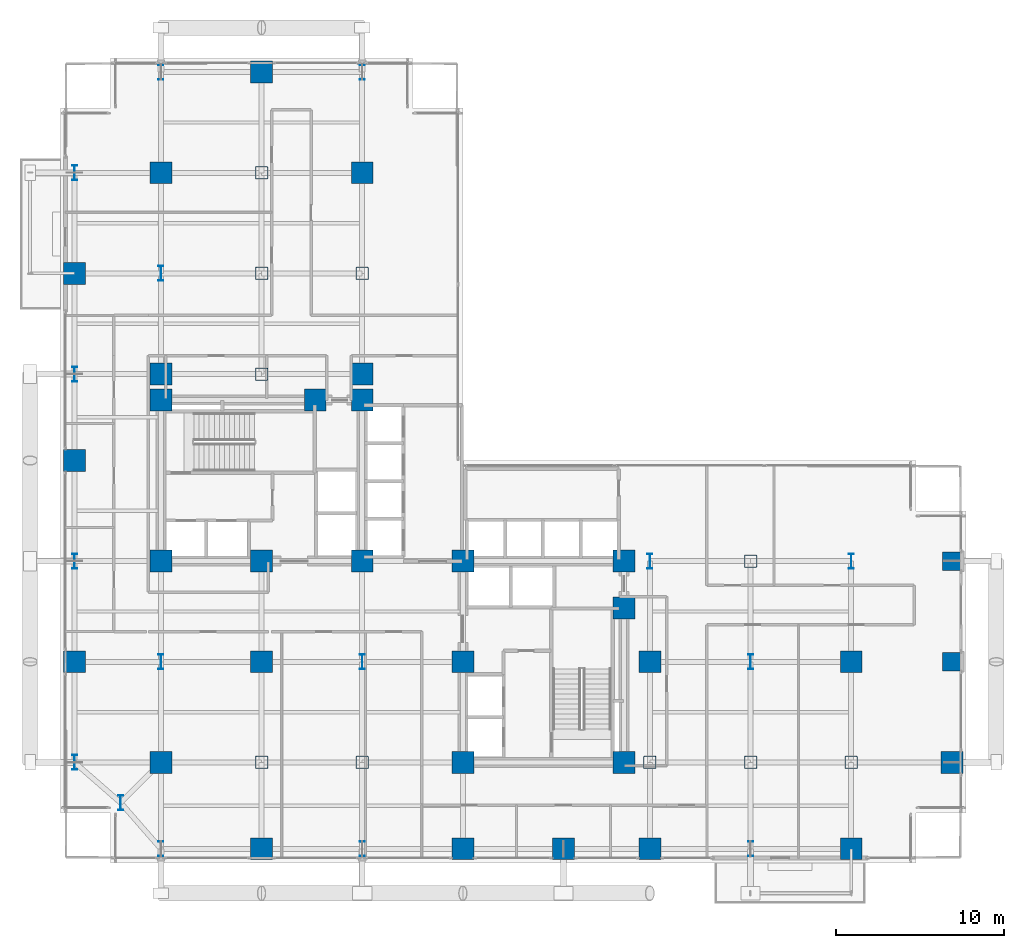
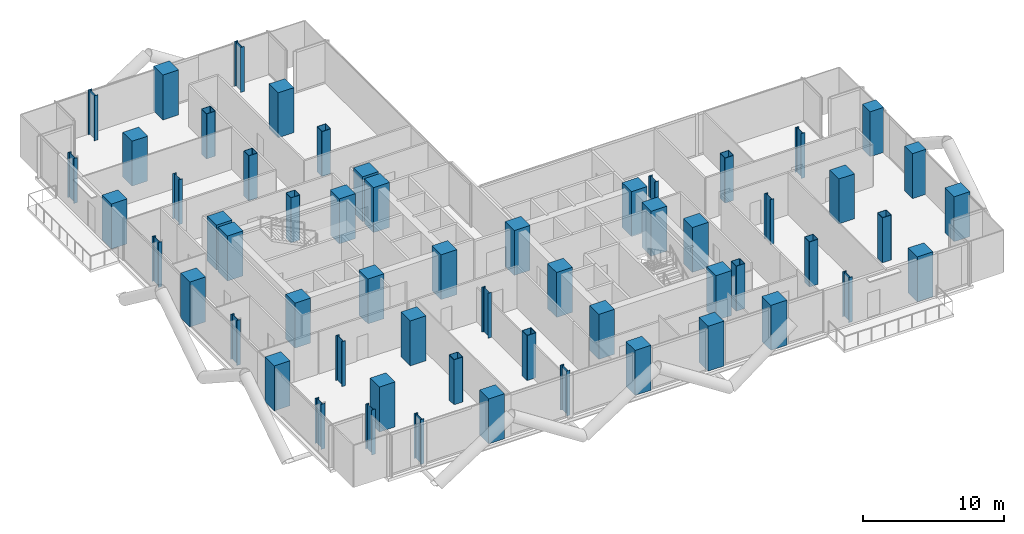
# One storey, part 1 of 27: 58 columns.
"""IFC4 building model written with IfcOpenShell, lengths in metres."""

from ifc_helpers import new_model, si_unit, direction, frame, origin, origin_2d, place, context, subcontext, project, spatial, rectangle, hollow_rectangle, i_section, extrude, material, material_profile, profile_set, type_object, element, save


model = new_model("IFC4")

# Units and contexts
model_context = context("Model", 3, precision=1e-05, world=origin(), true_north=direction((0.0, 1.0)))
body_context = subcontext(model_context, "Body", "Model", "MODEL_VIEW")
ifc_project = project(units=[si_unit("LENGTHUNIT", "METRE"), si_unit("AREAUNIT", "SQUARE_METRE"), si_unit("VOLUMEUNIT", "CUBIC_METRE"), si_unit("PLANEANGLEUNIT", "RADIAN"), si_unit("MASSUNIT", "GRAM", prefix="KILO"), si_unit("THERMODYNAMICTEMPERATUREUNIT", "KELVIN"), si_unit("POWERUNIT", "WATT")], contexts=[model_context])

# Site, building, storey
site_placement = place(None, origin())
site = spatial("IfcSite", under=ifc_project, at=site_placement, CompositionType="ELEMENT")
building_placement = place(site_placement, origin())
building = spatial("IfcBuilding", under=site, at=building_placement, Name="Svarakhadi Broadcast Tower", CompositionType="ELEMENT")
storey_placement = place(building_placement, frame((0.0, 0.0, 40.199951171875)))
storey = spatial("IfcBuildingStorey", under=building, at=storey_placement, Name="L08", CompositionType="ELEMENT", Elevation=40.199951171875)

# Columns
ifc_material_1 = material(Name="Steel S460ML (IS 2062 E450BR)", Category="steel")
ifc_material_profile_1 = material_profile(ifc_material_1, hollow_rectangle(XDim=0.75, YDim=0.75, WallThickness=0.034912109375, InnerFilletRadius=0.034912109375, OuterFilletRadius=0.050048828125, at=origin_2d()), Name="BOX 750x750x35")
ifc_profile_set_1 = profile_set([ifc_material_profile_1], Name="Steel S460ML (IS 2062 E450BR)")
column_type_1 = type_object("IfcColumnType", Name="Col_BOX750", PredefinedType="COLUMN", material=ifc_profile_set_1)
for number, where, z_axis, x_axis, name in (
    (1, (12.0, 6.0, 0.0), (0.0, 0.0, 1.0), (1.0, 0.0, 0.0), "L08 Column G19"),
    (2, (12.0, 29.14990234375, 0.0), (0.0, 0.0, 1.0), (1.0, 0.0, 0.0), "L08 Column G21"),
    (3, (12.0, 35.14990234375, 0.0), (0.0, 0.0, 1.0), (1.0, 0.0, 0.0), "L08 Column G22"),
    (4, (12.0, 41.14990234375, 0.0), (0.0, 0.0, 1.0), (1.0, 0.0, 0.0), "L08 Column G23"),
    (5, (18.0, 6.0, 0.0), (0.0, 0.0, 1.0), (1.0, 0.0, 0.0), "L08 Column G26"),
    (6, (18.0, 35.14990234375, 0.0), (0.0, 0.0, 1.0), (1.0, 0.0, 0.0), "L08 Column G29"),
    (7, (35.14990234375, 6.0, 0.0), (0.0, 0.0, 1.0), (1.0, 0.0, 0.0), "L08 Column G39"),
    (8, (41.14990234375, 6.0, 0.0), (0.0, 0.0, 1.0), (1.0, 0.0, 0.0), "L08 Column G44"),
    (9, (41.14990234375, 18.0, 0.0), (0.0, 0.0, 1.0), (1.0, 0.0, 0.0), "L08 Column G46"),
    (10, (47.14990234375, 6.0, 0.0), (0.0, 0.0, 1.0), (1.0, 0.0, 0.0), "L08 Column G51"),
):
    element("IfcColumn", number, at=place(storey_placement, frame(where, z_axis=z_axis, x_axis=x_axis)), inside=storey, type_object=column_type_1, Name=name, PredefinedType="COLUMN", context=body_context, shape_type="SweptSolid", body=[
        extrude(hollow_rectangle(XDim=0.75, YDim=0.75, WallThickness=0.034912109375, InnerFilletRadius=0.034912109375, OuterFilletRadius=0.050048828125, at=origin_2d()), origin(), (0.0, 0.0, 1.0), 3.900146484375),
    ])
ifc_material_2 = material(Name="Concrete C50/60 (IS 456 M60)", Category="concrete")
ifc_material_profile_2 = material_profile(ifc_material_2, rectangle(XDim=1.10009765625, YDim=1.10009765625, at=origin_2d()), Name="RC 1100x1100")
ifc_profile_set_2 = profile_set([ifc_material_profile_2], Name="Concrete C50/60 (IS 456 M60)")
column_type_2 = type_object("IfcColumnType", Name="Col_RC1100", PredefinedType="COLUMN", material=ifc_profile_set_2)
for number, where, z_axis, x_axis, name in (
    (11, (53.14990234375, 12.0, 0.0), (0.0, 0.0, 1.0), (1.0, 0.0, 0.0), "L08 Zone-1 East Stack Column ZT02"),
    (12, (53.14990234375, 18.0, 0.0), (0.0, 0.0, 1.0), (1.0, 0.0, 0.0), "L08 Zone-1 East Stack Column ZT03"),
):
    element("IfcColumn", number, at=place(storey_placement, frame(where, z_axis=z_axis, x_axis=x_axis)), inside=storey, type_object=column_type_2, Name=name, PredefinedType="COLUMN", context=body_context, shape_type="SweptSolid", body=[
        extrude(rectangle(XDim=1.10009765625, YDim=1.10009765625, at=origin_2d()), origin(), (0.0, 0.0, 1.0), 3.900146484375),
    ])
ifc_material_3 = material(Name="Concrete C60/75 (IS 456 M70)", Category="concrete")
ifc_material_profile_3 = material_profile(ifc_material_3, rectangle(XDim=1.300048828125, YDim=1.300048828125, at=origin_2d()), Name="RC 1300x1300")
ifc_profile_set_3 = profile_set([ifc_material_profile_3], Name="Concrete C60/75 (IS 456 M70)")
column_type_3 = type_object("IfcColumnType", Name="Col_RC1300", PredefinedType="COLUMN", material=ifc_profile_set_3)
for number, where, z_axis, x_axis, name in (
    (13, (6.0, 18.0, 0.0), (0.0, 0.0, 1.0), (1.0, 0.0, 0.0), "L08 Column CW1"),
    (14, (12.0, 18.0, 0.0), (0.0, 0.0, 1.0), (1.0, 0.0, 0.0), "L08 Column CW2"),
    (15, (18.0, 18.0, 0.0), (0.0, 0.0, 1.0), (1.0, 0.0, 0.0), "L08 Column CW3"),
    (16, (6.0, 27.60009765625, 0.0), (0.0, 0.0, 1.0), (1.0, 0.0, 0.0), "L08 Column CW4"),
    (17, (15.199951171875, 27.60009765625, 0.0), (0.0, 0.0, 1.0), (1.0, 0.0, 0.0), "L08 Column CW5"),
    (18, (18.0, 27.60009765625, 0.0), (0.0, 0.0, 1.0), (1.0, 0.0, 0.0), "L08 Column CW6"),
    (19, (24.0, 6.0, 0.0), (0.0, 0.0, 1.0), (1.0, 0.0, 0.0), "L08 Column CE1"),
    (20, (24.0, 12.0, 0.0), (0.0, 0.0, 1.0), (1.0, 0.0, 0.0), "L08 Column CE2"),
    (21, (24.0, 18.0, 0.0), (0.0, 0.0, 1.0), (1.0, 0.0, 0.0), "L08 Column CE3"),
    (22, (33.60009765625, 6.0, 0.0), (0.0, 0.0, 1.0), (1.0, 0.0, 0.0), "L08 Column CE4"),
    (23, (33.60009765625, 15.199951171875, 0.0), (0.0, 0.0, 1.0), (1.0, 0.0, 0.0), "L08 Column CE5"),
    (24, (33.60009765625, 18.0, 0.0), (0.0, 0.0, 1.0), (1.0, 0.0, 0.0), "L08 Column CE6"),
    (25, (0.85009765625, 12.0, 0.0), (0.0, 0.0, 1.0), (1.0, 0.0, 0.0), "L08 Column G04"),
    (26, (0.85009765625, 24.0, 0.0), (0.0, 0.0, 1.0), (1.0, 0.0, 0.0), "L08 Column G06"),
    (27, (0.85009765625, 35.14990234375, 0.0), (0.0, 0.0, 1.0), (1.0, 0.0, 0.0), "L08 Column G08"),
    (28, (6.0, 6.0, 0.0), (0.0, 0.0, 1.0), (1.0, 0.0, 0.0), "L08 Column G12"),
    (29, (6.0, 29.14990234375, 0.0), (0.0, 0.0, 1.0), (1.0, 0.0, 0.0), "L08 Column G14"),
    (30, (6.0, 41.14990234375, 0.0), (0.0, 0.0, 1.0), (1.0, 0.0, 0.0), "L08 Column G16"),
    (31, (12.0, 0.85009765625, 0.0), (0.0, 0.0, 1.0), (1.0, 0.0, 0.0), "L08 Column G18"),
    (32, (12.0, 12.0, 0.0), (0.0, 0.0, 1.0), (1.0, 0.0, 0.0), "L08 Column G20"),
    (33, (12.0, 47.14990234375, 0.0), (0.0, 0.0, 1.0), (1.0, 0.0, 0.0), "L08 Column G24"),
    (34, (18.0, 29.14990234375, 0.0), (0.0, 0.0, 1.0), (1.0, 0.0, 0.0), "L08 Column G28"),
    (35, (18.0, 41.14990234375, 0.0), (0.0, 0.0, 1.0), (1.0, 0.0, 0.0), "L08 Column G30"),
    (36, (24.0, 0.85009765625, 0.0), (0.0, 0.0, 1.0), (1.0, 0.0, 0.0), "L08 Column G32"),
    (37, (30.0, 0.85009765625, 0.0), (0.0, 0.0, 1.0), (1.0, 0.0, 0.0), "L08 Column G36"),
    (38, (35.14990234375, 0.85009765625, 0.0), (0.0, 0.0, 1.0), (1.0, 0.0, 0.0), "L08 Column G38"),
    (39, (35.14990234375, 12.0, 0.0), (0.0, 0.0, 1.0), (1.0, 0.0, 0.0), "L08 Column G40"),
    (40, (47.14990234375, 0.85009765625, 0.0), (0.0, 0.0, 1.0), (1.0, 0.0, 0.0), "L08 Column G50"),
    (41, (47.14990234375, 12.0, 0.0), (0.0, 0.0, 1.0), (1.0, 0.0, 0.0), "L08 Column G52"),
    (42, (53.14990234375, 6.0, 0.0), (0.0, 0.0, 1.0), (1.0, 0.0, 0.0), "L08 Column G58"),
):
    element("IfcColumn", number, at=place(storey_placement, frame(where, z_axis=z_axis, x_axis=x_axis)), inside=storey, type_object=column_type_3, Name=name, PredefinedType="COLUMN", context=body_context, shape_type="SweptSolid", body=[
        extrude(rectangle(XDim=1.300048828125, YDim=1.300048828125, at=origin_2d()), origin(), (0.0, 0.0, 1.0), 3.900146484375),
    ])
ifc_material_profile_4 = material_profile(ifc_material_1, i_section(OverallWidth=0.300048828125, OverallDepth=0.89990234375, WebThickness=0.0185546875, FlangeThickness=0.034912109375, FilletRadius=0.030029296875, at=origin_2d()), Name="WPB 900x300x291")
ifc_profile_set_4 = profile_set([ifc_material_profile_4], Name="Steel S460ML (IS 2062 E450BR)")
column_type_4 = type_object("IfcColumnType", Name="Col_WPB900", PredefinedType="COLUMN", material=ifc_profile_set_4)
for number, where, z_axis, x_axis, name in (
    (43, (3.60009765625, 3.60009765625, 0.0), (0.0, 0.0, 1.0), (1.0, 0.0, 0.0), "L08 Column G01"),
    (44, (0.85009765625, 6.0, 0.0), (0.0, 0.0, 1.0), (1.0, 0.0, 0.0), "L08 Column G03"),
    (45, (0.85009765625, 18.0, 0.0), (0.0, 0.0, 1.0), (1.0, 0.0, 0.0), "L08 Column G05"),
    (46, (0.85009765625, 29.14990234375, 0.0), (0.0, 0.0, 1.0), (1.0, 0.0, 0.0), "L08 Column G07"),
    (47, (0.85009765625, 41.14990234375, 0.0), (0.0, 0.0, 1.0), (1.0, 0.0, 0.0), "L08 Column G09"),
    (48, (6.0, 0.85009765625, 0.0), (0.0, 0.0, 1.0), (1.0, 0.0, 0.0), "L08 Column G11"),
    (49, (6.0, 12.0, 0.0), (0.0, 0.0, 1.0), (1.0, 0.0, 0.0), "L08 Column G13"),
    (50, (6.0, 35.14990234375, 0.0), (0.0, 0.0, 1.0), (1.0, 0.0, 0.0), "L08 Column G15"),
    (51, (6.0, 47.14990234375, 0.0), (0.0, 0.0, 1.0), (1.0, 0.0, 0.0), "L08 Column G17"),
    (52, (18.0, 0.85009765625, 0.0), (0.0, 0.0, 1.0), (1.0, 0.0, 0.0), "L08 Column G25"),
    (53, (18.0, 12.0, 0.0), (0.0, 0.0, 1.0), (1.0, 0.0, 0.0), "L08 Column G27"),
    (54, (18.0, 47.14990234375, 0.0), (0.0, 0.0, 1.0), (1.0, 0.0, 0.0), "L08 Column G31"),
    (55, (35.14990234375, 18.0, 0.0), (0.0, 0.0, 1.0), (1.0, 0.0, 0.0), "L08 Column G41"),
    (56, (41.14990234375, 0.85009765625, 0.0), (0.0, 0.0, 1.0), (1.0, 0.0, 0.0), "L08 Column G43"),
    (57, (41.14990234375, 12.0, 0.0), (0.0, 0.0, 1.0), (1.0, 0.0, 0.0), "L08 Column G45"),
    (58, (47.14990234375, 18.0, 0.0), (0.0, 0.0, 1.0), (1.0, 0.0, 0.0), "L08 Column G53"),
):
    element("IfcColumn", number, at=place(storey_placement, frame(where, z_axis=z_axis, x_axis=x_axis)), inside=storey, type_object=column_type_4, Name=name, PredefinedType="COLUMN", context=body_context, shape_type="SweptSolid", body=[
        extrude(i_section(OverallWidth=0.300048828125, OverallDepth=0.89990234375, WebThickness=0.0185546875, FlangeThickness=0.034912109375, FilletRadius=0.030029296875, at=origin_2d()), origin(), (0.0, 0.0, 1.0), 3.900146484375),
    ])

save(model, "model.ifc")
